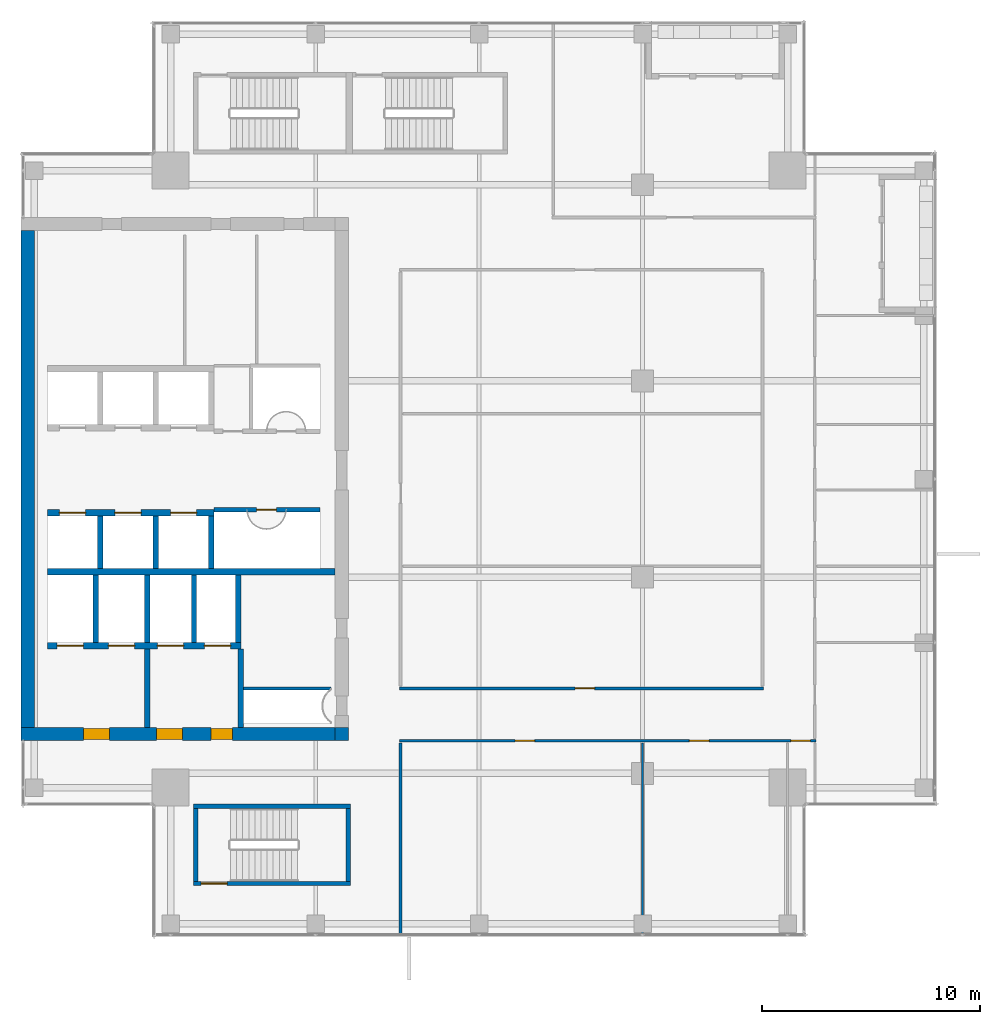
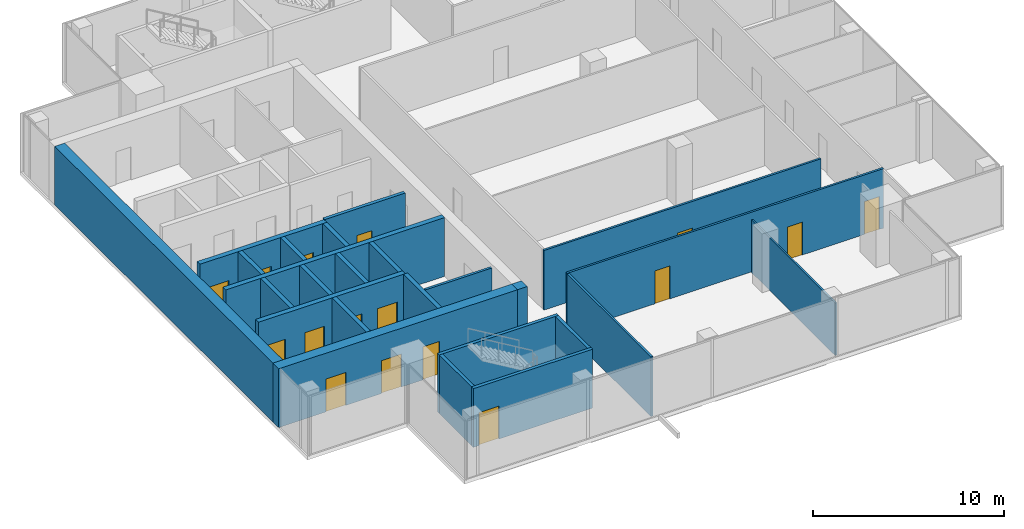
# One storey, part 23 of 28: 25 walls, 16 doors, 16 openings.
"""IFC4 building model written with IfcOpenShell, lengths in metres."""

from ifc_helpers import new_model, si_unit, direction, frame, frame_2d, origin, place, context, subcontext, project, spatial, rectangle, extrude, source, transform, mapped, material, layer, layer_set, type_object, element, fill, save


model = new_model("IFC4")

# Units and contexts
model_context = context("Model", 3, precision=1e-05, world=origin(), true_north=direction((0.0, 1.0)))
body_context = subcontext(model_context, "Body", "Model", "MODEL_VIEW")
ifc_project = project(units=[si_unit("LENGTHUNIT", "METRE"), si_unit("AREAUNIT", "SQUARE_METRE"), si_unit("VOLUMEUNIT", "CUBIC_METRE"), si_unit("PLANEANGLEUNIT", "RADIAN"), si_unit("MASSUNIT", "GRAM", prefix="KILO")], contexts=[model_context])

# Site, building, storey
site_placement = place(None, origin())
site = spatial("IfcSite", under=ifc_project, at=site_placement, CompositionType="ELEMENT")
building_placement = place(site_placement, origin())
building = spatial("IfcBuilding", under=site, at=building_placement, Name="Khomas Fold Tower", CompositionType="ELEMENT")
storey_placement = place(building_placement, frame((0.0, 0.0, 302.199951171875)))
storey = spatial("IfcBuildingStorey", under=building, at=storey_placement, Name="L68", CompositionType="ELEMENT", Elevation=302.199951171875)

# Wall
ifc_material_1 = material(Name="Concrete C50/60", Category="concrete")
ifc_layer_1 = layer(ifc_material_1, 0.199951171875)
ifc_layer_set_1 = layer_set([ifc_layer_1], Name="Concrete C50/60")
wall_type_1 = type_object("IfcWallType", Name="Stair wall 200", PredefinedType="SHEAR", material=ifc_layer_set_1)
shared_shape_1 = source(origin(), body_context, "Body", "SweptSolid", [
    extrude(rectangle(XDim=7.2001953125, YDim=0.199951171875, at=frame_2d((3.60009765625, 0.0))), origin(), (0.0, 0.0, 1.0), 3.75),
])
wall_1_placement = place(storey_placement, frame((13.89990234375, 12.0, 0.0), z_axis=(0.0, 0.0, 1.0), x_axis=(1.0, 0.0, 0.0)))
element("IfcWall", 1, at=wall_1_placement, inside=storey, type_object=wall_type_1, Name="Stair wall SW-ST2-NH", PredefinedType="SHEAR", context=body_context, shape_type="MappedRepresentation", body=[
    mapped(shared_shape_1, transform((0.0, 0.0, 0.0))),
])

# Wall, opening, door
wall_2_placement = place(storey_placement, frame((13.89990234375, 8.449951171875, 0.0), z_axis=(0.0, 0.0, 1.0), x_axis=(1.0, 0.0, 0.0)))
wall_2 = element("IfcWall", 2, at=wall_2_placement, inside=storey, type_object=wall_type_1, Name="Stair wall SW-ST2-S", PredefinedType="SHEAR", context=body_context, shape_type="MappedRepresentation", body=[
    mapped(shared_shape_1, transform((0.0, 0.0, 0.0))),
])
shared_shape_2 = source(origin(), body_context, "Body", "SweptSolid", [
    extrude(rectangle(XDim=1.199951171875, YDim=2.10009765625, at=frame_2d((0.60009765625, 1.050048828125))), frame((0.0, 0.10986328125, 0.0), z_axis=(0.0, -1.0, 0.0), x_axis=(1.0, 0.0, 0.0)), (0.0, 0.0, 1.0), 0.219970703125),
])
opening_1_placement = place(wall_2_placement, frame((0.35009765625, 0.0, 0.0)))
opening_1 = element("IfcOpeningElement", 3, at=opening_1_placement, cuts=wall_2, Name="Opening SD-ST2", PredefinedType="OPENING", context=body_context, shape_type="MappedRepresentation", body=[
    mapped(shared_shape_2, transform((0.0, 0.0, 0.0))),
])
ifc_material_2 = material(Name="Steel door leaf", Category="steel")
door_type_1 = type_object("IfcDoorType", Name="Stair door 1200x2100 right-hand", OperationType="SINGLE_SWING_RIGHT", PredefinedType="DOOR", material=ifc_material_2)
shared_shape_3 = source(origin(), body_context, "Body", "SweptSolid", [
    extrude(rectangle(XDim=1.199951171875, YDim=2.10009765625, at=frame_2d((0.60009765625, 1.050048828125))), frame((0.0, 0.02490234375, 0.0), z_axis=(0.0, -1.0, 0.0), x_axis=(1.0, 0.0, 0.0)), (0.0, 0.0, 1.0), 0.050048828125),
])
door_1_placement = place(opening_1_placement, origin())
door_1 = element("IfcDoor", 4, at=door_1_placement, inside=storey, type_object=door_type_1, Name="Stair door", OperationType="SINGLE_SWING_RIGHT", OverallHeight=2.10009765625, OverallWidth=1.199951171875, PredefinedType="DOOR", context=body_context, shape_type="MappedRepresentation", body=[
    mapped(shared_shape_3, transform((0.0, 0.0, 0.0))),
])
fill(opening_1, door_1)

# Walls
shared_shape_4 = source(origin(), body_context, "Body", "SweptSolid", [
    extrude(rectangle(XDim=3.349853515625, YDim=0.199951171875, at=frame_2d((1.6748046875, 0.0))), origin(), (0.0, 0.0, 1.0), 3.75),
])
for number, where, z_axis, x_axis, name in (
    (5, (21.0, 8.550048828125, 0.0), (0.0, 0.0, 1.0), (0.0, 1.0, 0.0), "Stair wall SW-ST2-E"),
    (6, (14.0, 8.550048828125, 0.0), (0.0, 0.0, 1.0), (0.0, 1.0, 0.0), "Stair wall SW-ST2-W"),
):
    element("IfcWall", number, at=place(storey_placement, frame(where, z_axis=z_axis, x_axis=x_axis)), inside=storey, type_object=wall_type_1, Name=name, PredefinedType="SHEAR", context=body_context, shape_type="MappedRepresentation", body=[
        mapped(shared_shape_4, transform((0.0, 0.0, 0.0))),
    ])
ifc_material_3 = material(Name="Concrete C50/60", Category="concrete")
ifc_layer_2 = layer(ifc_material_3, 0.25)
ifc_layer_set_2 = layer_set([ifc_layer_2], Name="Concrete C50/60")
wall_type_2 = type_object("IfcWallType", Name="Shaft wall 250", PredefinedType="STANDARD", material=ifc_layer_set_2)
shared_shape_5 = source(origin(), body_context, "Body", "SweptSolid", [
    extrude(rectangle(XDim=3.10009765625, YDim=0.25, at=frame_2d((1.550048828125, 0.0))), origin(), (0.0, 0.0, 1.0), 3.75),
])
for number, where, z_axis, x_axis, name in (
    (7, (9.425048828125, 19.5, 0.0), (0.0, 0.0, 1.0), (0.0, 1.0, 0.0), "Core wall SW-FS-P1"),
    (8, (11.77490234375, 19.5, 0.0), (0.0, 0.0, 1.0), (0.0, 1.0, 0.0), "Core wall SW-FS-P2"),
    (9, (13.925048828125, 19.5, 0.0), (0.0, 0.0, 1.0), (0.0, 1.0, 0.0), "Core wall SW-FS-P3"),
    (10, (15.949951171875, 19.5, 0.0), (0.0, 0.0, 1.0), (0.0, 1.0, 0.0), "Core wall SW-FS-PE"),
):
    element("IfcWall", number, at=place(storey_placement, frame(where, z_axis=z_axis, x_axis=x_axis)), inside=storey, type_object=wall_type_2, Name=name, PredefinedType="STANDARD", context=body_context, shape_type="MappedRepresentation", body=[
        mapped(shared_shape_5, transform((0.0, 0.0, 0.0))),
    ])
shared_shape_6 = source(origin(), body_context, "Body", "SweptSolid", [
    extrude(rectangle(XDim=2.400146484375, YDim=0.25, at=frame_2d((1.2001953125, 0.0))), origin(), (0.0, 0.0, 1.0), 3.75),
])
for number, where, z_axis, x_axis, name in (
    (11, (9.625, 22.89990234375, 0.0), (0.0, 0.0, 1.0), (0.0, 1.0, 0.0), "Core wall SW-HRS-P1"),
    (12, (12.175048828125, 22.89990234375, 0.0), (0.0, 0.0, 1.0), (0.0, 1.0, 0.0), "Core wall SW-HRS-P2"),
    (13, (14.72509765625, 22.89990234375, 0.0), (0.0, 0.0, 1.0), (0.0, 1.0, 0.0), "Core wall SW-HRS-PE"),
):
    element("IfcWall", number, at=place(storey_placement, frame(where, z_axis=z_axis, x_axis=x_axis)), inside=storey, type_object=wall_type_2, Name=name, PredefinedType="STANDARD", context=body_context, shape_type="MappedRepresentation", body=[
        mapped(shared_shape_6, transform((0.0, 0.0, 0.0))),
    ])

# Wall, openings, doors
ifc_material_4 = material(Name="Concrete C50/60", Category="concrete")
ifc_layer_3 = layer(ifc_material_4, 0.60009765625)
ifc_layer_set_3 = layer_set([ifc_layer_3], Name="Concrete C50/60")
wall_type_3 = type_object("IfcWallType", Name="Core wall 600", PredefinedType="SHEAR", material=ifc_layer_set_3)
shared_shape_7 = source(origin(), body_context, "Body", "SweptSolid", [
    extrude(rectangle(XDim=14.39990234375, YDim=0.60009765625, at=frame_2d((7.199951171875, 0.0))), origin(), (0.0, 0.0, 1.0), 3.75),
])
wall_3_placement = place(storey_placement, frame((6.0, 15.300048828125, 0.0), z_axis=(0.0, 0.0, 1.0), x_axis=(1.0, 0.0, 0.0)))
wall_3 = element("IfcWall", 14, at=wall_3_placement, inside=storey, type_object=wall_type_3, Name="Core wall CW-U-S-L63", PredefinedType="SHEAR", context=body_context, shape_type="MappedRepresentation", body=[
    mapped(shared_shape_7, transform((0.0, 0.0, 0.0))),
])
shared_shape_8 = source(origin(), body_context, "Body", "SweptSolid", [
    extrude(rectangle(XDim=1.199951171875, YDim=2.10009765625, at=frame_2d((0.60009765625, 1.050048828125))), frame((0.0, 0.31005859375, 0.0), z_axis=(0.0, -1.0, 0.0), x_axis=(1.0, 0.0, 0.0)), (0.0, 0.0, 1.0), 0.6201171875),
])
opening_2_placement = place(wall_3_placement, frame((6.199951171875, 0.0, 0.0)))
opening_2 = element("IfcOpeningElement", 15, at=opening_2_placement, cuts=wall_3, Name="Opening 0009", PredefinedType="OPENING", context=body_context, shape_type="MappedRepresentation", body=[
    mapped(shared_shape_8, transform((0.0, 0.0, 0.0))),
])
opening_3_placement = place(wall_3_placement, frame((2.85009765625, 0.0, 0.0)))
opening_3 = element("IfcOpeningElement", 16, at=opening_3_placement, cuts=wall_3, Name="Opening 0009", PredefinedType="OPENING", context=body_context, shape_type="MappedRepresentation", body=[
    mapped(shared_shape_8, transform((0.0, 0.0, 0.0))),
])
shared_shape_9 = source(origin(), body_context, "Body", "SweptSolid", [
    extrude(rectangle(XDim=1.0, YDim=2.10009765625, at=frame_2d((0.5, 1.050048828125))), frame((0.0, 0.31005859375, 0.0), z_axis=(0.0, -1.0, 0.0), x_axis=(1.0, 0.0, 0.0)), (0.0, 0.0, 1.0), 0.6201171875),
])
opening_4_placement = place(wall_3_placement, frame((8.699951171875, 0.0, 0.0)))
opening_4 = element("IfcOpeningElement", 17, at=opening_4_placement, cuts=wall_3, Name="Opening 0010", PredefinedType="OPENING", context=body_context, shape_type="MappedRepresentation", body=[
    mapped(shared_shape_9, transform((0.0, 0.0, 0.0))),
])
ifc_material_5 = material(Name="Steel door leaf", Category="steel")
door_type_2 = type_object("IfcDoorType", Name="Stair door 1000x2100 right-hand", OperationType="SINGLE_SWING_RIGHT", PredefinedType="DOOR", material=ifc_material_5)
shared_shape_10 = source(origin(), body_context, "Body", "SweptSolid", [
    extrude(rectangle(XDim=1.0, YDim=2.10009765625, at=frame_2d((0.5, 1.050048828125))), frame((0.0, 0.25, 0.0), z_axis=(0.0, -1.0, 0.0), x_axis=(1.0, 0.0, 0.0)), (0.0, 0.0, 1.0), 0.5),
])
door_2_placement = place(opening_4_placement, origin())
door_2 = element("IfcDoor", 18, at=door_2_placement, inside=storey, type_object=door_type_2, Name="Stair door", OperationType="SINGLE_SWING_RIGHT", OverallHeight=2.10009765625, OverallWidth=1.0, PredefinedType="DOOR", context=body_context, shape_type="MappedRepresentation", body=[
    mapped(shared_shape_10, transform((0.0, 0.0, 0.0))),
])
fill(opening_4, door_2)
ifc_material_6 = material(Name="Steel door leaf", Category="steel")
door_type_3 = type_object("IfcDoorType", Name="Lobby door 1200x2100 right-hand", OperationType="SINGLE_SWING_RIGHT", PredefinedType="DOOR", material=ifc_material_6)
shared_shape_11 = source(origin(), body_context, "Body", "SweptSolid", [
    extrude(rectangle(XDim=1.199951171875, YDim=2.10009765625, at=frame_2d((0.60009765625, 1.050048828125))), frame((0.0, 0.25, 0.0), z_axis=(0.0, -1.0, 0.0), x_axis=(1.0, 0.0, 0.0)), (0.0, 0.0, 1.0), 0.5),
])
door_3_placement = place(opening_2_placement, origin())
door_3 = element("IfcDoor", 19, at=door_3_placement, inside=storey, type_object=door_type_3, Name="Lobby door", OperationType="SINGLE_SWING_RIGHT", OverallHeight=2.10009765625, OverallWidth=1.199951171875, PredefinedType="DOOR", context=body_context, shape_type="MappedRepresentation", body=[
    mapped(shared_shape_11, transform((0.0, 0.0, 0.0))),
])
fill(opening_2, door_3)
door_4_placement = place(opening_3_placement, origin())
door_4 = element("IfcDoor", 20, at=door_4_placement, inside=storey, type_object=door_type_3, Name="Lobby door", OperationType="SINGLE_SWING_RIGHT", OverallHeight=2.10009765625, OverallWidth=1.199951171875, PredefinedType="DOOR", context=body_context, shape_type="MappedRepresentation", body=[
    mapped(shared_shape_11, transform((0.0, 0.0, 0.0))),
])
fill(opening_3, door_4)

# Walls
ifc_material_7 = material(Name="Concrete C50/60", Category="concrete")
ifc_layer_4 = layer(ifc_material_7, 0.60009765625)
ifc_layer_set_4 = layer_set([ifc_layer_4], Name="Concrete C50/60")
wall_type_4 = type_object("IfcWallType", Name="Core corner wall 600", PredefinedType="SHEAR", material=ifc_layer_set_4)
shared_shape_12 = source(origin(), body_context, "Body", "SweptSolid", [
    extrude(rectangle(XDim=0.60009765625, YDim=0.60009765625, at=frame_2d((0.300048828125, 0.0))), origin(), (0.0, 0.0, 1.0), 3.75),
])
wall_4_placement = place(storey_placement, frame((20.39990234375, 15.300048828125, 0.0), z_axis=(0.0, 0.0, 1.0), x_axis=(1.0, 0.0, 0.0)))
element("IfcWall", 21, at=wall_4_placement, inside=storey, type_object=wall_type_4, Name="Core wall CW-U-SE-L63", PredefinedType="SHEAR", context=body_context, shape_type="MappedRepresentation", body=[
    mapped(shared_shape_12, transform((0.0, 0.0, 0.0))),
])
shared_shape_13 = source(origin(), body_context, "Body", "SweptSolid", [
    extrude(rectangle(XDim=22.7998046875, YDim=0.60009765625, at=frame_2d((11.39990234375, 0.0))), origin(), (0.0, 0.0, 1.0), 3.75),
])
wall_5_placement = place(storey_placement, frame((6.300048828125, 15.60009765625, 0.0), z_axis=(0.0, 0.0, 1.0), x_axis=(0.0, 1.0, 0.0)))
element("IfcWall", 22, at=wall_5_placement, inside=storey, type_object=wall_type_3, Name="Core wall CW-U-W-L63", PredefinedType="SHEAR", context=body_context, shape_type="MappedRepresentation", body=[
    mapped(shared_shape_13, transform((0.0, 0.0, 0.0))),
])
ifc_material_8 = material(Name="Concrete C50/60", Category="concrete")
ifc_layer_5 = layer(ifc_material_8, 0.300048828125)
ifc_layer_set_5 = layer_set([ifc_layer_5], Name="Concrete C50/60")
wall_type_5 = type_object("IfcWallType", Name="Shaft wall 300", PredefinedType="STANDARD", material=ifc_layer_set_5)
shared_shape_14 = source(origin(), body_context, "Body", "SweptSolid", [
    extrude(rectangle(XDim=13.199951171875, YDim=0.300048828125, at=frame_2d((6.60009765625, 0.0))), origin(), (0.0, 0.0, 1.0), 3.75),
])
wall_6_placement = place(storey_placement, frame((7.199951171875, 22.75, 0.0), z_axis=(0.0, 0.0, 1.0), x_axis=(1.0, 0.0, 0.0)))
element("IfcWall", 23, at=wall_6_placement, inside=storey, type_object=wall_type_5, Name="Core wall SW-FS-B", PredefinedType="STANDARD", context=body_context, shape_type="MappedRepresentation", body=[
    mapped(shared_shape_14, transform((0.0, 0.0, 0.0))),
])

# Wall, openings, doors
shared_shape_15 = source(origin(), body_context, "Body", "SweptSolid", [
    extrude(rectangle(XDim=8.875, YDim=0.300048828125, at=frame_2d((4.4375, 0.0))), origin(), (0.0, 0.0, 1.0), 3.75),
])
wall_7_placement = place(storey_placement, frame((7.199951171875, 19.35009765625, 0.0), z_axis=(0.0, 0.0, 1.0), x_axis=(1.0, 0.0, 0.0)))
wall_7 = element("IfcWall", 24, at=wall_7_placement, inside=storey, type_object=wall_type_5, Name="Core wall SW-FS-F", PredefinedType="STANDARD", context=body_context, shape_type="MappedRepresentation", body=[
    mapped(shared_shape_15, transform((0.0, 0.0, 0.0))),
])
shared_shape_16 = source(origin(), body_context, "Body", "SweptSolid", [
    extrude(rectangle(XDim=1.199951171875, YDim=2.10009765625, at=frame_2d((0.60009765625, 1.050048828125))), frame((0.0, 0.159912109375, 0.0), z_axis=(0.0, -1.0, 0.0), x_axis=(1.0, 0.0, 0.0)), (0.0, 0.0, 1.0), 0.320068359375),
])
opening_5_placement = place(wall_7_placement, frame((0.449951171875, 0.0, 0.0)))
opening_5 = element("IfcOpeningElement", 25, at=opening_5_placement, cuts=wall_7, Name="Opening LD-SV1", PredefinedType="OPENING", context=body_context, shape_type="MappedRepresentation", body=[
    mapped(shared_shape_16, transform((0.0, 0.0, 0.0))),
])
opening_6_placement = place(wall_7_placement, frame((2.800048828125, 0.0, 0.0)))
opening_6 = element("IfcOpeningElement", 26, at=opening_6_placement, cuts=wall_7, Name="Opening LD-SV2", PredefinedType="OPENING", context=body_context, shape_type="MappedRepresentation", body=[
    mapped(shared_shape_16, transform((0.0, 0.0, 0.0))),
])
opening_7_placement = place(wall_7_placement, frame((5.050048828125, 0.0, 0.0)))
opening_7 = element("IfcOpeningElement", 27, at=opening_7_placement, cuts=wall_7, Name="Opening LD-FF1", PredefinedType="OPENING", context=body_context, shape_type="MappedRepresentation", body=[
    mapped(shared_shape_16, transform((0.0, 0.0, 0.0))),
])
opening_8_placement = place(wall_7_placement, frame((7.199951171875, 0.0, 0.0)))
opening_8 = element("IfcOpeningElement", 28, at=opening_8_placement, cuts=wall_7, Name="Opening LD-FF2", PredefinedType="OPENING", context=body_context, shape_type="MappedRepresentation", body=[
    mapped(shared_shape_16, transform((0.0, 0.0, 0.0))),
])
ifc_material_9 = material(Name="Steel door leaf", Category="steel")
door_type_4 = type_object("IfcDoorType", Name="Landing door 1200x2100", OperationType="DOUBLE_DOOR_SLIDING", PredefinedType="DOOR", material=ifc_material_9)
door_5_placement = place(opening_5_placement, origin())
door_5 = element("IfcDoor", 29, at=door_5_placement, inside=storey, type_object=door_type_4, Name="Lift landing door", OperationType="DOUBLE_DOOR_SLIDING", OverallHeight=2.10009765625, OverallWidth=1.199951171875, PredefinedType="DOOR", context=body_context, shape_type="MappedRepresentation", body=[
    mapped(shared_shape_3, transform((0.0, 0.0, 0.0))),
])
fill(opening_5, door_5)
door_6_placement = place(opening_6_placement, origin())
door_6 = element("IfcDoor", 30, at=door_6_placement, inside=storey, type_object=door_type_4, Name="Lift landing door", OperationType="DOUBLE_DOOR_SLIDING", OverallHeight=2.10009765625, OverallWidth=1.199951171875, PredefinedType="DOOR", context=body_context, shape_type="MappedRepresentation", body=[
    mapped(shared_shape_3, transform((0.0, 0.0, 0.0))),
])
fill(opening_6, door_6)
door_7_placement = place(opening_7_placement, origin())
door_7 = element("IfcDoor", 31, at=door_7_placement, inside=storey, type_object=door_type_4, Name="Lift landing door", OperationType="DOUBLE_DOOR_SLIDING", OverallHeight=2.10009765625, OverallWidth=1.199951171875, PredefinedType="DOOR", context=body_context, shape_type="MappedRepresentation", body=[
    mapped(shared_shape_3, transform((0.0, 0.0, 0.0))),
])
fill(opening_7, door_7)
door_8_placement = place(opening_8_placement, origin())
door_8 = element("IfcDoor", 32, at=door_8_placement, inside=storey, type_object=door_type_4, Name="Lift landing door", OperationType="DOUBLE_DOOR_SLIDING", OverallHeight=2.10009765625, OverallWidth=1.199951171875, PredefinedType="DOOR", context=body_context, shape_type="MappedRepresentation", body=[
    mapped(shared_shape_3, transform((0.0, 0.0, 0.0))),
])
fill(opening_8, door_8)

shared_shape_17 = source(origin(), body_context, "Body", "SweptSolid", [
    extrude(rectangle(XDim=7.650146484375, YDim=0.300048828125, at=frame_2d((3.8251953125, 0.0))), origin(), (0.0, 0.0, 1.0), 3.75),
])
wall_8_placement = place(storey_placement, frame((7.199951171875, 25.449951171875, 0.0), z_axis=(0.0, 0.0, 1.0), x_axis=(1.0, 0.0, 0.0)))
wall_8 = element("IfcWall", 33, at=wall_8_placement, inside=storey, type_object=wall_type_5, Name="Core wall SW-HRS-F", PredefinedType="STANDARD", context=body_context, shape_type="MappedRepresentation", body=[
    mapped(shared_shape_17, transform((0.0, 0.0, 0.0))),
])
opening_9_placement = place(wall_8_placement, frame((0.550048828125, 0.0, 0.0)))
opening_9 = element("IfcOpeningElement", 34, at=opening_9_placement, cuts=wall_8, Name="Opening LD-HR1", PredefinedType="OPENING", context=body_context, shape_type="MappedRepresentation", body=[
    mapped(shared_shape_16, transform((0.0, 0.0, 0.0))),
])
opening_10_placement = place(wall_8_placement, frame((3.10009765625, 0.0, 0.0)))
opening_10 = element("IfcOpeningElement", 35, at=opening_10_placement, cuts=wall_8, Name="Opening LD-HR2", PredefinedType="OPENING", context=body_context, shape_type="MappedRepresentation", body=[
    mapped(shared_shape_16, transform((0.0, 0.0, 0.0))),
])
opening_11_placement = place(wall_8_placement, frame((5.64990234375, 0.0, 0.0)))
opening_11 = element("IfcOpeningElement", 36, at=opening_11_placement, cuts=wall_8, Name="Opening LD-HR3", PredefinedType="OPENING", context=body_context, shape_type="MappedRepresentation", body=[
    mapped(shared_shape_16, transform((0.0, 0.0, 0.0))),
])
door_9_placement = place(opening_9_placement, origin())
door_9 = element("IfcDoor", 37, at=door_9_placement, inside=storey, type_object=door_type_4, Name="Lift landing door", OperationType="DOUBLE_DOOR_SLIDING", OverallHeight=2.10009765625, OverallWidth=1.199951171875, PredefinedType="DOOR", context=body_context, shape_type="MappedRepresentation", body=[
    mapped(shared_shape_3, transform((0.0, 0.0, 0.0))),
])
fill(opening_9, door_9)
door_10_placement = place(opening_10_placement, origin())
door_10 = element("IfcDoor", 38, at=door_10_placement, inside=storey, type_object=door_type_4, Name="Lift landing door", OperationType="DOUBLE_DOOR_SLIDING", OverallHeight=2.10009765625, OverallWidth=1.199951171875, PredefinedType="DOOR", context=body_context, shape_type="MappedRepresentation", body=[
    mapped(shared_shape_3, transform((0.0, 0.0, 0.0))),
])
fill(opening_10, door_10)
door_11_placement = place(opening_11_placement, origin())
door_11 = element("IfcDoor", 39, at=door_11_placement, inside=storey, type_object=door_type_4, Name="Lift landing door", OperationType="DOUBLE_DOOR_SLIDING", OverallHeight=2.10009765625, OverallWidth=1.199951171875, PredefinedType="DOOR", context=body_context, shape_type="MappedRepresentation", body=[
    mapped(shared_shape_3, transform((0.0, 0.0, 0.0))),
])
fill(opening_11, door_11)

# Walls
ifc_material_10 = material(Name="Concrete C50/60", Category="concrete")
ifc_layer_6 = layer(ifc_material_10, 0.25)
ifc_layer_set_6 = layer_set([ifc_layer_6], Name="Concrete C50/60")
wall_type_6 = type_object("IfcWallType", Name="Lobby wall 250", PredefinedType="STANDARD", material=ifc_layer_set_6)
shared_shape_18 = source(origin(), body_context, "Body", "SweptSolid", [
    extrude(rectangle(XDim=3.599853515625, YDim=0.25, at=frame_2d((1.7998046875, 0.0))), origin(), (0.0, 0.0, 1.0), 3.75),
])
for number, where, z_axis, x_axis, name in (
    (40, (16.074951171875, 15.60009765625, 0.0), (0.0, 0.0, 1.0), (0.0, 1.0, 0.0), "Core wall SW-FS-LOB-E"),
    (41, (11.77490234375, 15.60009765625, 0.0), (0.0, 0.0, 1.0), (0.0, 1.0, 0.0), "Core wall SW-FS-SEP"),
):
    element("IfcWall", number, at=place(storey_placement, frame(where, z_axis=z_axis, x_axis=x_axis)), inside=storey, type_object=wall_type_6, Name=name, PredefinedType="STANDARD", context=body_context, shape_type="MappedRepresentation", body=[
        mapped(shared_shape_18, transform((0.0, 0.0, 0.0))),
    ])
ifc_material_11 = material(Name="Plasterboard fire partition")
ifc_layer_7 = layer(ifc_material_11, 0.14990234375)
ifc_layer_set_7 = layer_set([ifc_layer_7], Name="Plasterboard fire partition")
wall_type_7 = type_object("IfcWallType", Name="Plant room wall PW3 150", PredefinedType="PARTITIONING", material=ifc_layer_set_7)
shared_shape_19 = source(origin(), body_context, "Body", "SweptSolid", [
    extrude(rectangle(XDim=4.0, YDim=0.14990234375, at=frame_2d((2.0, 0.0))), origin(), (0.0, 0.0, 1.0), 3.800048828125),
])
wall_9_placement = place(storey_placement, frame((16.199951171875, 17.39990234375, 0.0), z_axis=(0.0, 0.0, 1.0), x_axis=(1.0, 0.0, 0.0)))
element("IfcWall", 42, at=wall_9_placement, inside=storey, type_object=wall_type_7, Name="Plant room wall", PredefinedType="PARTITIONING", context=body_context, shape_type="MappedRepresentation", body=[
    mapped(shared_shape_19, transform((0.0, 0.0, 0.0))),
])

# Wall, opening, door
ifc_material_12 = material(Name="Concrete C30/37", Category="concrete")
ifc_layer_8 = layer(ifc_material_12, 0.199951171875)
ifc_layer_set_8 = layer_set([ifc_layer_8], Name="Concrete C30/37")
wall_type_8 = type_object("IfcWallType", Name="Lobby wall PW4 200", PredefinedType="PARTITIONING", material=ifc_layer_set_8)
shared_shape_20 = source(origin(), body_context, "Body", "SweptSolid", [
    extrude(rectangle(XDim=4.849853515625, YDim=0.199951171875, at=frame_2d((2.4248046875, 0.0))), origin(), (0.0, 0.0, 1.0), 3.800048828125),
])
wall_10_placement = place(storey_placement, frame((14.85009765625, 25.60009765625, 0.0), z_axis=(0.0, 0.0, 1.0), x_axis=(1.0, 0.0, 0.0)))
wall_10 = element("IfcWall", 43, at=wall_10_placement, inside=storey, type_object=wall_type_8, Name="Lobby wall", PredefinedType="PARTITIONING", context=body_context, shape_type="MappedRepresentation", body=[
    mapped(shared_shape_20, transform((0.0, 0.0, 0.0))),
])
shared_shape_21 = source(origin(), body_context, "Body", "SweptSolid", [
    extrude(rectangle(XDim=0.89990234375, YDim=2.10009765625, at=frame_2d((0.449951171875, 1.050048828125))), frame((0.0, 0.10986328125, 0.0), z_axis=(0.0, -1.0, 0.0), x_axis=(1.0, 0.0, 0.0)), (0.0, 0.0, 1.0), 0.219970703125),
])
opening_12_placement = place(wall_10_placement, frame((1.949951171875, 0.0, 0.0)))
opening_12 = element("IfcOpeningElement", 44, at=opening_12_placement, cuts=wall_10, Name="Opening 0002", PredefinedType="OPENING", context=body_context, shape_type="MappedRepresentation", body=[
    mapped(shared_shape_21, transform((0.0, 0.0, 0.0))),
])
ifc_material_13 = material(Name="Steel door leaf", Category="steel")
door_type_5 = type_object("IfcDoorType", Name="Plant room door 900x2100 left-hand", OperationType="SINGLE_SWING_LEFT", PredefinedType="DOOR", material=ifc_material_13)
shared_shape_22 = source(origin(), body_context, "Body", "SweptSolid", [
    extrude(rectangle(XDim=0.89990234375, YDim=2.10009765625, at=frame_2d((0.449951171875, 1.050048828125))), frame((0.0, 0.02490234375, 0.0), z_axis=(0.0, -1.0, 0.0), x_axis=(1.0, 0.0, 0.0)), (0.0, 0.0, 1.0), 0.050048828125),
])
door_12_placement = place(opening_12_placement, origin())
door_12 = element("IfcDoor", 45, at=door_12_placement, inside=storey, type_object=door_type_5, Name="Plant room door", OperationType="SINGLE_SWING_LEFT", OverallHeight=2.10009765625, OverallWidth=0.89990234375, PredefinedType="DOOR", context=body_context, shape_type="MappedRepresentation", body=[
    mapped(shared_shape_22, transform((0.0, 0.0, 0.0))),
])
fill(opening_12, door_12)

# Walls
ifc_material_14 = material(Name="Plasterboard partition")
ifc_layer_9 = layer(ifc_material_14, 0.125)
ifc_layer_set_9 = layer_set([ifc_layer_9], Name="Plasterboard partition")
wall_type_9 = type_object("IfcWallType", Name="Partition PW2 125", PredefinedType="PARTITIONING", material=ifc_layer_set_9)
shared_shape_23 = source(origin(), body_context, "Body", "SweptSolid", [
    extrude(rectangle(XDim=8.75, YDim=0.125, at=frame_2d((4.375, 0.0))), origin(), (0.0, 0.0, 1.0), 3.800048828125),
])
wall_11_placement = place(storey_placement, frame((23.39990234375, 6.14990234375, 0.0), z_axis=(0.0, 0.0, 1.0), x_axis=(0.0, 1.0, 0.0)))
element("IfcWall", 46, at=wall_11_placement, inside=storey, type_object=wall_type_9, Name="Partition", PredefinedType="PARTITIONING", context=body_context, shape_type="MappedRepresentation", body=[
    mapped(shared_shape_23, transform((0.0, 0.0, 0.0))),
])
ifc_material_15 = material(Name="Plasterboard partition")
ifc_layer_10 = layer(ifc_material_15, 0.10009765625)
ifc_layer_set_10 = layer_set([ifc_layer_10], Name="Plasterboard partition")
wall_type_10 = type_object("IfcWallType", Name="Partition PW1 100", PredefinedType="PARTITIONING", material=ifc_layer_set_10)
shared_shape_24 = source(origin(), body_context, "Body", "SweptSolid", [
    extrude(rectangle(XDim=8.75, YDim=0.10009765625, at=frame_2d((4.375, 0.0))), origin(), (0.0, 0.0, 1.0), 3.35009765625),
])
wall_12_placement = place(storey_placement, frame((34.5, 6.14990234375, 0.0), z_axis=(0.0, 0.0, 1.0), x_axis=(0.0, 1.0, 0.0)))
element("IfcWall", 47, at=wall_12_placement, inside=storey, type_object=wall_type_10, Name="Partition", PredefinedType="PARTITIONING", context=body_context, shape_type="MappedRepresentation", body=[
    mapped(shared_shape_24, transform((0.0, 0.0, 0.0))),
])

# Wall, openings, doors
shared_shape_25 = source(origin(), body_context, "Body", "SweptSolid", [
    extrude(rectangle(XDim=19.099853515625, YDim=0.125, at=frame_2d((9.5498046875, 0.0))), origin(), (0.0, 0.0, 1.0), 3.800048828125),
])
wall_13_placement = place(storey_placement, frame((23.35009765625, 15.0, 0.0), z_axis=(0.0, 0.0, 1.0), x_axis=(1.0, 0.0, 0.0)))
wall_13 = element("IfcWall", 48, at=wall_13_placement, inside=storey, type_object=wall_type_9, Name="Partition", PredefinedType="PARTITIONING", context=body_context, shape_type="MappedRepresentation", body=[
    mapped(shared_shape_25, transform((0.0, 0.0, 0.0))),
])
shared_shape_26 = source(origin(), body_context, "Body", "SweptSolid", [
    extrude(rectangle(XDim=0.89990234375, YDim=2.10009765625, at=frame_2d((0.449951171875, 1.050048828125))), frame((0.0, 0.072509765625, 0.0), z_axis=(0.0, -1.0, 0.0), x_axis=(1.0, 0.0, 0.0)), (0.0, 0.0, 1.0), 0.14501953125),
])
opening_13_placement = place(wall_13_placement, frame((5.300048828125, 0.0, 0.0)))
opening_13 = element("IfcOpeningElement", 49, at=opening_13_placement, cuts=wall_13, Name="Opening 0008", PredefinedType="OPENING", context=body_context, shape_type="MappedRepresentation", body=[
    mapped(shared_shape_26, transform((0.0, 0.0, 0.0))),
])
opening_14_placement = place(wall_13_placement, frame((13.300048828125, 0.0, 0.0)))
opening_14 = element("IfcOpeningElement", 50, at=opening_14_placement, cuts=wall_13, Name="Opening 0007", PredefinedType="OPENING", context=body_context, shape_type="MappedRepresentation", body=[
    mapped(shared_shape_26, transform((0.0, 0.0, 0.0))),
])
opening_15_placement = place(wall_13_placement, frame((17.949951171875, 0.0, 0.0)))
opening_15 = element("IfcOpeningElement", 51, at=opening_15_placement, cuts=wall_13, Name="Opening 0008", PredefinedType="OPENING", context=body_context, shape_type="MappedRepresentation", body=[
    mapped(shared_shape_26, transform((0.0, 0.0, 0.0))),
])
ifc_material_16 = material(Name="Timber door leaf", Category="wood")
door_type_6 = type_object("IfcDoorType", Name="Door 900x2100 right-hand", OperationType="SINGLE_SWING_RIGHT", PredefinedType="DOOR", material=ifc_material_16)
door_13_placement = place(opening_13_placement, origin())
door_13 = element("IfcDoor", 52, at=door_13_placement, inside=storey, type_object=door_type_6, Name="Door", OperationType="SINGLE_SWING_RIGHT", OverallHeight=2.10009765625, OverallWidth=0.89990234375, PredefinedType="DOOR", context=body_context, shape_type="MappedRepresentation", body=[
    mapped(shared_shape_22, transform((0.0, 0.0, 0.0))),
])
fill(opening_13, door_13)
ifc_material_17 = material(Name="Timber door leaf", Category="wood")
door_type_7 = type_object("IfcDoorType", Name="Door 900x2100 left-hand", OperationType="SINGLE_SWING_LEFT", PredefinedType="DOOR", material=ifc_material_17)
door_14_placement = place(opening_14_placement, origin())
door_14 = element("IfcDoor", 53, at=door_14_placement, inside=storey, type_object=door_type_7, Name="Door", OperationType="SINGLE_SWING_LEFT", OverallHeight=2.10009765625, OverallWidth=0.89990234375, PredefinedType="DOOR", context=body_context, shape_type="MappedRepresentation", body=[
    mapped(shared_shape_22, transform((0.0, 0.0, 0.0))),
])
fill(opening_14, door_14)
door_15_placement = place(opening_15_placement, origin())
door_15 = element("IfcDoor", 54, at=door_15_placement, inside=storey, type_object=door_type_6, Name="Door", OperationType="SINGLE_SWING_RIGHT", OverallHeight=2.10009765625, OverallWidth=0.89990234375, PredefinedType="DOOR", context=body_context, shape_type="MappedRepresentation", body=[
    mapped(shared_shape_22, transform((0.0, 0.0, 0.0))),
])
fill(opening_15, door_15)

# Wall, opening, door
shared_shape_27 = source(origin(), body_context, "Body", "SweptSolid", [
    extrude(rectangle(XDim=16.699951171875, YDim=0.125, at=frame_2d((8.35009765625, 0.0))), origin(), (0.0, 0.0, 1.0), 3.800048828125),
])
wall_14_placement = place(storey_placement, frame((23.35009765625, 17.39990234375, 0.0), z_axis=(0.0, 0.0, 1.0), x_axis=(1.0, 0.0, 0.0)))
wall_14 = element("IfcWall", 55, at=wall_14_placement, inside=storey, type_object=wall_type_9, Name="Partition", PredefinedType="PARTITIONING", context=body_context, shape_type="MappedRepresentation", body=[
    mapped(shared_shape_27, transform((0.0, 0.0, 0.0))),
])
opening_16_placement = place(wall_14_placement, frame((8.050048828125, 0.0, 0.0)))
opening_16 = element("IfcOpeningElement", 56, at=opening_16_placement, cuts=wall_14, Name="Opening 0007", PredefinedType="OPENING", context=body_context, shape_type="MappedRepresentation", body=[
    mapped(shared_shape_26, transform((0.0, 0.0, 0.0))),
])
door_16_placement = place(opening_16_placement, origin())
door_16 = element("IfcDoor", 57, at=door_16_placement, inside=storey, type_object=door_type_7, Name="Door", OperationType="SINGLE_SWING_LEFT", OverallHeight=2.10009765625, OverallWidth=0.89990234375, PredefinedType="DOOR", context=body_context, shape_type="MappedRepresentation", body=[
    mapped(shared_shape_22, transform((0.0, 0.0, 0.0))),
])
fill(opening_16, door_16)

save(model, "model.ifc")
